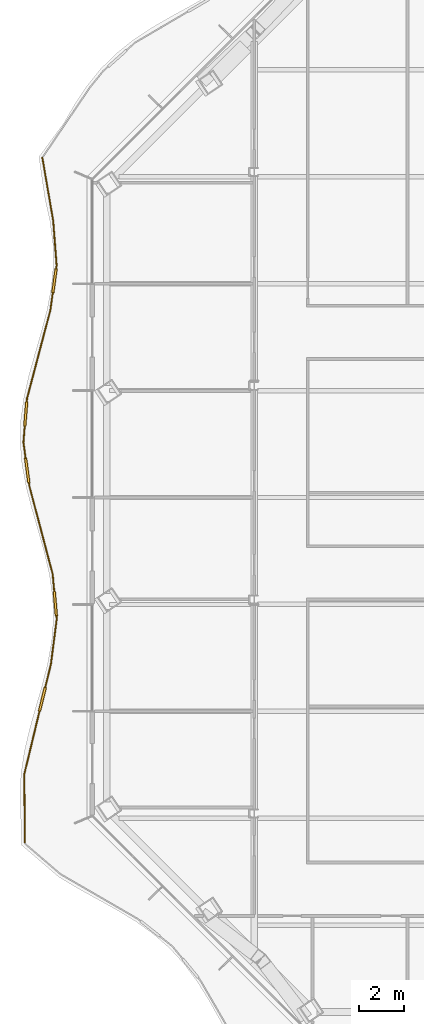
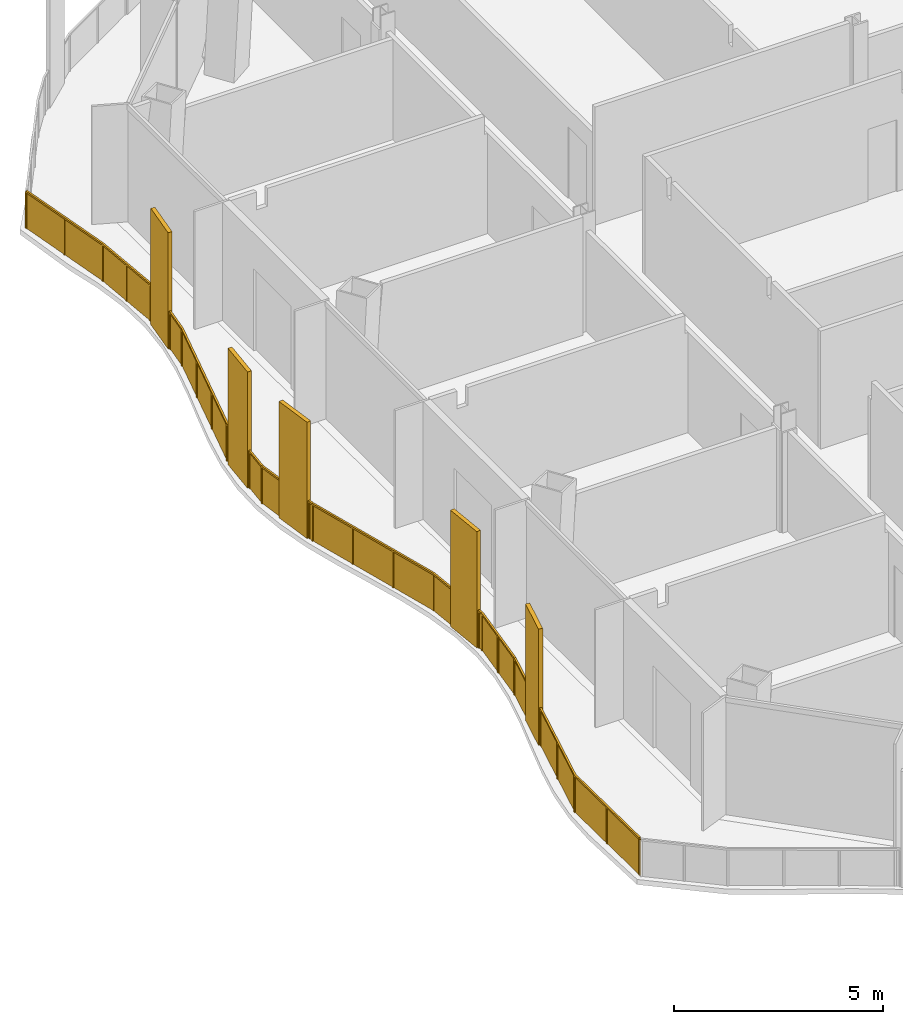
# One storey, part 16 of 22: 1 railing.
"""IFC4 building model written with IfcOpenShell, lengths in metres."""

from ifc_helpers import new_model, si_unit, direction, frame, origin, origin_2d, place, context, subcontext, project, spatial, polyline, rectangle, outline, extrude, material, type_object, element, save


model = new_model("IFC4")

# Units and contexts
model_context = context("Model", 3, precision=1e-05, world=origin(), true_north=direction((0.0, 1.0)))
body_context = subcontext(model_context, "Body", "Model", "MODEL_VIEW")
ifc_project = project(units=[si_unit("LENGTHUNIT", "METRE"), si_unit("AREAUNIT", "SQUARE_METRE"), si_unit("VOLUMEUNIT", "CUBIC_METRE"), si_unit("PLANEANGLEUNIT", "RADIAN"), si_unit("MASSUNIT", "GRAM", prefix="KILO")], contexts=[model_context])

# Site, building, storey
site_placement = place(None, origin())
site = spatial("IfcSite", under=ifc_project, at=site_placement, CompositionType="ELEMENT")
building_placement = place(site_placement, origin())
building = spatial("IfcBuilding", under=site, at=building_placement, Name="Cairn Pilgrim Tower", CompositionType="ELEMENT")
storey_placement = place(building_placement, frame((0.0, 0.0, 112.199951171875)))
storey = spatial("IfcBuildingStorey", under=building, at=storey_placement, Name="L27", CompositionType="ELEMENT", Elevation=112.199951171875)

# Railing
ifc_material = material(Name="Bronze anodised aluminium rail, posts and fin screens with laminated glass infill", Category="aluminium")
railing_type = type_object("IfcRailingType", Name="BALCONY GUARD WITH FIN SCREENS", PredefinedType="GUARDRAIL", material=ifc_material)
railing_placement = place(storey_placement, frame((-23.915771484375, 19.84423828125, 0.0)))
element("IfcRailing", 1, at=railing_placement, inside=storey, type_object=railing_type, Name="Balcony guard BGF-7 with fin screens", PredefinedType="GUARDRAIL", context=body_context, shape_type="SweptSolid", body=[
    extrude(rectangle(XDim=0.050048828125, YDim=0.050048828125, at=origin_2d()), frame((0.0, 0.0, 1.0751953125), z_axis=(0.16953336584, -0.985524448133, 0.0), x_axis=(0.985524448133, 0.16953336584, 0.0)), (0.0, 0.0, 1.0), 2.8671875),
    extrude(rectangle(XDim=0.050048828125, YDim=0.050048828125, at=origin_2d()), frame((0.486083984375, -2.82568359375, 1.0751953125), z_axis=(0.076807669278, -0.997045927698, 0.0), x_axis=(0.997045927698, 0.076807669278, 0.0)), (0.0, 0.0, 1.0), 2.01513671875),
    extrude(rectangle(XDim=1.10009765625, YDim=0.110107421875, at=origin_2d()), frame((0.5439453125, -5.528076171875, 0.0), z_axis=(0.0, 0.0, 1.0), x_axis=(-0.138492204352, -0.99036352383, 0.0)), (0.0, 0.0, 1.0), 3.39990234375),
    extrude(rectangle(XDim=0.050048828125, YDim=0.050048828125, at=origin_2d()), frame((0.640869140625, -4.8349609375, 1.0751953125), z_axis=(-0.138492204352, -0.99036352383, 0.0), x_axis=(0.99036352383, -0.138492204352, 0.0)), (0.0, 0.0, 1.0), 0.14990234375),
    extrude(rectangle(XDim=0.050048828125, YDim=0.050048828125, at=origin_2d()), frame((0.4677734375, -6.072998046875, 1.0751953125), z_axis=(-0.138492204352, -0.99036352383, 0.0), x_axis=(0.99036352383, -0.138492204352, 0.0)), (0.0, 0.0, 1.0), 0.78076171875),
    extrude(rectangle(XDim=0.050048828125, YDim=0.050048828125, at=origin_2d()), frame((0.359619140625, -6.84619140625, 1.0751953125), z_axis=(-0.255251582027, -0.966874671233, 0.0), x_axis=(0.966874671233, -0.255251582027, 0.0)), (0.0, 0.0, 1.0), 4.104248046875),
    extrude(rectangle(XDim=1.10009765625, YDim=0.110107421875, at=origin_2d()), frame((-0.745849609375, -11.511962890625, 0.0), z_axis=(0.0, 0.0, 1.0), x_axis=(-0.082685320584, -0.996575705985, 0.0)), (0.0, 0.0, 1.0), 3.39990234375),
    extrude(rectangle(XDim=0.050048828125, YDim=0.050048828125, at=origin_2d()), frame((-0.68798828125, -10.814453125, 1.0751953125), z_axis=(-0.082685320584, -0.996575705985, 0.0), x_axis=(0.996575705985, -0.082685320584, 0.0)), (0.0, 0.0, 1.0), 0.14990234375),
    extrude(rectangle(XDim=0.050048828125, YDim=0.050048828125, at=origin_2d()), frame((-0.791259765625, -12.06005859375, 1.0751953125), z_axis=(-0.082685320584, -0.996575705985, 0.0), x_axis=(0.996575705985, -0.082685320584, 0.0)), (0.0, 0.0, 1.0), 0.713623046875),
    extrude(rectangle(XDim=1.10009765625, YDim=0.110107421875, at=origin_2d()), frame((-0.68017578125, -14.038330078125, 0.0), z_axis=(0.0, 0.0, 1.0), x_axis=(0.133141643969, -0.991097019792, 0.0)), (0.0, 0.0, 1.0), 3.39990234375),
    extrude(rectangle(XDim=0.050048828125, YDim=0.050048828125, at=origin_2d()), frame((-0.850341796875, -12.771240234375, 1.0751953125), z_axis=(0.133141643969, -0.991097019792, 0.0), x_axis=(0.991097019792, 0.133141643969, 0.0)), (0.0, 0.0, 1.0), 0.728271484375),
    extrude(rectangle(XDim=0.050048828125, YDim=0.050048828125, at=origin_2d()), frame((-0.60693359375, -14.583251953125, 1.0751953125), z_axis=(0.133141643969, -0.991097019792, 0.0), x_axis=(0.991097019792, 0.133141643969, 0.0)), (0.0, 0.0, 1.0), 0.150146484375),
    extrude(rectangle(XDim=0.050048828125, YDim=0.050048828125, at=origin_2d()), frame((-0.5869140625, -14.732177734375, 1.0751953125), z_axis=(0.255755489209, -0.966741500992, 0.0), x_axis=(0.966741500992, 0.255755489209, 0.0)), (0.0, 0.0, 1.0), 4.1123046875),
    extrude(rectangle(XDim=1.10009765625, YDim=0.110107421875, at=origin_2d()), frame((0.58203125, -20.025634765625, 0.0), z_axis=(0.0, 0.0, 1.0), x_axis=(0.088577039911, -0.996069328913, 0.0)), (0.0, 0.0, 1.0), 3.39990234375),
    extrude(rectangle(XDim=0.050048828125, YDim=0.050048828125, at=origin_2d()), frame((0.46484375, -18.707763671875, 1.0751953125), z_axis=(0.088577039911, -0.996069328913, 0.0), x_axis=(0.996069328913, 0.088577039911, 0.0)), (0.0, 0.0, 1.0), 0.77294921875),
    extrude(rectangle(XDim=0.050048828125, YDim=0.050048828125, at=origin_2d()), frame((0.630859375, -20.573486328125, 1.0751953125), z_axis=(0.088577039911, -0.996069328913, 0.0), x_axis=(0.996069328913, 0.088577039911, 0.0)), (0.0, 0.0, 1.0), 0.150146484375),
    extrude(rectangle(XDim=0.050048828125, YDim=0.050048828125, at=origin_2d()), frame((0.64404296875, -20.722900390625, 1.0751953125), z_axis=(-0.127784084157, -0.991802010401, 0.0), x_axis=(0.991802010401, -0.127784084157, 0.0)), (0.0, 0.0, 1.0), 2.027099609375),
    extrude(rectangle(XDim=1.10009765625, YDim=0.110107421875, at=origin_2d()), frame((0.002685546875, -24.31591796875, 0.0), z_axis=(0.0, 0.0, 1.0), x_axis=(-0.23488862622, -0.972022290522, 0.0)), (0.0, 0.0, 1.0), 3.39990234375),
    extrude(rectangle(XDim=0.050048828125, YDim=0.050048828125, at=origin_2d()), frame((0.385009765625, -22.7333984375, 1.0751953125), z_axis=(-0.23488862622, -0.972022290522, 0.0), x_axis=(0.972022290522, -0.23488862622, 0.0)), (0.0, 0.0, 1.0), 1.078125),
    extrude(rectangle(XDim=0.050048828125, YDim=0.050048828125, at=origin_2d()), frame((-0.126708984375, -24.8505859375, 1.0751953125), z_axis=(-0.23488862622, -0.972022290522, 0.0), x_axis=(0.972022290522, -0.23488862622, 0.0)), (0.0, 0.0, 1.0), 2.920166015625),
    extrude(rectangle(XDim=0.050048828125, YDim=0.050048828125, at=origin_2d()), frame((-0.8125, -27.68896484375, 1.0751953125), z_axis=(0.009518807193, -0.999954695129, 0.0), x_axis=(0.999954695129, 0.009518807193, 0.0)), (0.0, 0.0, 1.0), 3.05224609375),
    extrude(rectangle(XDim=0.050048828125, YDim=0.050048828125, at=origin_2d()), origin(), (0.0, 0.0, 1.0), 1.050048828125),
    extrude(rectangle(XDim=0.050048828125, YDim=0.050048828125, at=origin_2d()), frame((0.2431640625, -1.412841796875, 0.0)), (0.0, 0.0, 1.0), 1.050048828125),
    extrude(rectangle(XDim=0.050048828125, YDim=0.050048828125, at=origin_2d()), frame((0.486083984375, -2.82568359375, 0.0)), (0.0, 0.0, 1.0), 1.050048828125),
    extrude(rectangle(XDim=0.050048828125, YDim=0.050048828125, at=origin_2d()), frame((0.5634765625, -3.830322265625, 0.0)), (0.0, 0.0, 1.0), 1.050048828125),
    extrude(rectangle(XDim=0.050048828125, YDim=0.050048828125, at=origin_2d()), frame((0.640869140625, -4.8349609375, 0.0)), (0.0, 0.0, 1.0), 1.050048828125),
    extrude(rectangle(XDim=0.050048828125, YDim=0.050048828125, at=origin_2d()), frame((0.62353515625, -4.958740234375, 0.0)), (0.0, 0.0, 1.0), 1.050048828125),
    extrude(rectangle(XDim=0.050048828125, YDim=0.050048828125, at=origin_2d()), frame((0.46435546875, -6.09765625, 0.0)), (0.0, 0.0, 1.0), 1.050048828125),
    extrude(rectangle(XDim=0.050048828125, YDim=0.050048828125, at=origin_2d()), frame((0.359619140625, -6.84619140625, 0.0)), (0.0, 0.0, 1.0), 1.050048828125),
    extrude(rectangle(XDim=0.050048828125, YDim=0.050048828125, at=origin_2d()), frame((0.010498046875, -8.1689453125, 0.0)), (0.0, 0.0, 1.0), 1.050048828125),
    extrude(rectangle(XDim=0.050048828125, YDim=0.050048828125, at=origin_2d()), frame((-0.3388671875, -9.49169921875, 0.0)), (0.0, 0.0, 1.0), 1.050048828125),
    extrude(rectangle(XDim=0.050048828125, YDim=0.050048828125, at=origin_2d()), frame((-0.68798828125, -10.814453125, 0.0)), (0.0, 0.0, 1.0), 1.050048828125),
    extrude(rectangle(XDim=0.050048828125, YDim=0.050048828125, at=origin_2d()), frame((-0.6982421875, -10.93896484375, 0.0)), (0.0, 0.0, 1.0), 1.050048828125),
    extrude(rectangle(XDim=0.050048828125, YDim=0.050048828125, at=origin_2d()), frame((-0.79345703125, -12.0849609375, 0.0)), (0.0, 0.0, 1.0), 1.050048828125),
    extrude(rectangle(XDim=0.050048828125, YDim=0.050048828125, at=origin_2d()), frame((-0.850341796875, -12.771240234375, 0.0)), (0.0, 0.0, 1.0), 1.050048828125),
    extrude(rectangle(XDim=0.050048828125, YDim=0.050048828125, at=origin_2d()), frame((-0.756591796875, -13.46826171875, 0.0)), (0.0, 0.0, 1.0), 1.050048828125),
    extrude(rectangle(XDim=0.050048828125, YDim=0.050048828125, at=origin_2d()), frame((-0.603515625, -14.608154296875, 0.0)), (0.0, 0.0, 1.0), 1.050048828125),
    extrude(rectangle(XDim=0.050048828125, YDim=0.050048828125, at=origin_2d()), frame((-0.5869140625, -14.732177734375, 0.0)), (0.0, 0.0, 1.0), 1.050048828125),
    extrude(rectangle(XDim=0.050048828125, YDim=0.050048828125, at=origin_2d()), frame((-0.236328125, -16.057373046875, 0.0)), (0.0, 0.0, 1.0), 1.050048828125),
    extrude(rectangle(XDim=0.050048828125, YDim=0.050048828125, at=origin_2d()), frame((0.1142578125, -17.382568359375, 0.0)), (0.0, 0.0, 1.0), 1.050048828125),
    extrude(rectangle(XDim=0.050048828125, YDim=0.050048828125, at=origin_2d()), frame((0.46484375, -18.707763671875, 0.0)), (0.0, 0.0, 1.0), 1.050048828125),
    extrude(rectangle(XDim=0.050048828125, YDim=0.050048828125, at=origin_2d()), frame((0.531005859375, -19.452880859375, 0.0)), (0.0, 0.0, 1.0), 1.050048828125),
    extrude(rectangle(XDim=0.050048828125, YDim=0.050048828125, at=origin_2d()), frame((0.633056640625, -20.598388671875, 0.0)), (0.0, 0.0, 1.0), 1.050048828125),
    extrude(rectangle(XDim=0.050048828125, YDim=0.050048828125, at=origin_2d()), frame((0.64404296875, -20.722900390625, 0.0)), (0.0, 0.0, 1.0), 1.050048828125),
    extrude(rectangle(XDim=0.050048828125, YDim=0.050048828125, at=origin_2d()), frame((0.5146484375, -21.72802734375, 0.0)), (0.0, 0.0, 1.0), 1.050048828125),
    extrude(rectangle(XDim=0.050048828125, YDim=0.050048828125, at=origin_2d()), frame((0.385009765625, -22.7333984375, 0.0)), (0.0, 0.0, 1.0), 1.050048828125),
    extrude(rectangle(XDim=0.050048828125, YDim=0.050048828125, at=origin_2d()), frame((0.1376953125, -23.7568359375, 0.0)), (0.0, 0.0, 1.0), 1.050048828125),
    extrude(rectangle(XDim=0.050048828125, YDim=0.050048828125, at=origin_2d()), frame((-0.132568359375, -24.874755859375, 0.0)), (0.0, 0.0, 1.0), 1.050048828125),
    extrude(rectangle(XDim=0.050048828125, YDim=0.050048828125, at=origin_2d()), frame((-0.472412109375, -26.281982421875, 0.0)), (0.0, 0.0, 1.0), 1.050048828125),
    extrude(rectangle(XDim=0.050048828125, YDim=0.050048828125, at=origin_2d()), frame((-0.8125, -27.68896484375, 0.0)), (0.0, 0.0, 1.0), 1.050048828125),
    extrude(rectangle(XDim=0.050048828125, YDim=0.050048828125, at=origin_2d()), frame((-0.7978515625, -29.21484375, 0.0)), (0.0, 0.0, 1.0), 1.050048828125),
    extrude(rectangle(XDim=0.050048828125, YDim=0.050048828125, at=origin_2d()), frame((-0.783447265625, -30.740966796875, 0.0)), (0.0, 0.0, 1.0), 1.050048828125),
    extrude(outline(polyline([(0.02490234375, 0.0), (1.40869140625, 0.0), (1.40869140625, 1.050048828125), (0.02490234375, 1.050048828125), (0.02490234375, 0.0)])), frame((0.005859375, 0.0009765625, 0.0), z_axis=(-0.985524448133, -0.16953336584, 0.0), x_axis=(0.16953336584, -0.985524448133, 0.0)), (0.0, 0.0, 1.0), 0.011962890625),
    extrude(outline(polyline([(0.02490234375, 0.0), (1.40869140625, 0.0), (1.40869140625, 1.050048828125), (0.02490234375, 1.050048828125), (0.02490234375, 0.0)])), frame((0.2490234375, -1.411865234375, 0.0), z_axis=(-0.985524448133, -0.16953336584, 0.0), x_axis=(0.16953336584, -0.985524448133, 0.0)), (0.0, 0.0, 1.0), 0.011962890625),
    extrude(outline(polyline([(0.02490234375, 0.0), (0.982666015625, 0.0), (0.982666015625, 1.050048828125), (0.02490234375, 1.050048828125), (0.02490234375, 0.0)])), frame((0.491943359375, -2.8251953125, 0.0), z_axis=(-0.997045927698, -0.076807669278, 0.0), x_axis=(0.076807669278, -0.997045927698, 0.0)), (0.0, 0.0, 1.0), 0.011962890625),
    extrude(outline(polyline([(0.02490234375, 0.0), (0.982666015625, 0.0), (0.982666015625, 1.050048828125), (0.02490234375, 1.050048828125), (0.02490234375, 0.0)])), frame((0.5693359375, -3.829833984375, 0.0), z_axis=(-0.997045927698, -0.076807669278, 0.0), x_axis=(0.076807669278, -0.997045927698, 0.0)), (0.0, 0.0, 1.0), 0.011962890625),
    extrude(outline(polyline([(0.02490234375, 0.0), (0.099853515625, 0.0), (0.099853515625, 1.050048828125), (0.02490234375, 1.050048828125), (0.02490234375, 0.0)])), frame((0.646728515625, -4.835693359375, 0.0), z_axis=(-0.99036352383, 0.138492204352, 0.0), x_axis=(-0.138492204352, -0.99036352383, 0.0)), (0.0, 0.0, 1.0), 0.011962890625),
    extrude(outline(polyline([(0.02490234375, 0.0), (0.730712890625, 0.0), (0.730712890625, 1.050048828125), (0.02490234375, 1.050048828125), (0.02490234375, 0.0)])), frame((0.47021484375, -6.098388671875, 0.0), z_axis=(-0.99036352383, 0.138492204352, 0.0), x_axis=(-0.138492204352, -0.99036352383, 0.0)), (0.0, 0.0, 1.0), 0.011962890625),
    extrude(outline(polyline([(0.02490234375, 0.0), (1.343017578125, 0.0), (1.343017578125, 1.050048828125), (0.02490234375, 1.050048828125), (0.02490234375, 0.0)])), frame((0.365478515625, -6.84765625, 0.0), z_axis=(-0.966874671233, 0.255251582027, 0.0), x_axis=(-0.255251582027, -0.966874671233, 0.0)), (0.0, 0.0, 1.0), 0.011962890625),
    extrude(outline(polyline([(0.02490234375, 0.0), (1.343017578125, 0.0), (1.343017578125, 1.050048828125), (0.02490234375, 1.050048828125), (0.02490234375, 0.0)])), frame((0.01611328125, -8.17041015625, 0.0), z_axis=(-0.966874671233, 0.255251582027, 0.0), x_axis=(-0.255251582027, -0.966874671233, 0.0)), (0.0, 0.0, 1.0), 0.011962890625),
    extrude(outline(polyline([(0.02490234375, 0.0), (1.343017578125, 0.0), (1.343017578125, 1.050048828125), (0.02490234375, 1.050048828125), (0.02490234375, 0.0)])), frame((-0.3330078125, -9.4931640625, 0.0), z_axis=(-0.966874671233, 0.255251582027, 0.0), x_axis=(-0.255251582027, -0.966874671233, 0.0)), (0.0, 0.0, 1.0), 0.011962890625),
    extrude(outline(polyline([(0.02490234375, 0.0), (0.099853515625, 0.0), (0.099853515625, 1.050048828125), (0.02490234375, 1.050048828125), (0.02490234375, 0.0)])), frame((-0.68212890625, -10.81494140625, 0.0), z_axis=(-0.996575705985, 0.082685320584, 0.0), x_axis=(-0.082685320584, -0.996575705985, 0.0)), (0.0, 0.0, 1.0), 0.011962890625),
    extrude(outline(polyline([(0.02490234375, 0.0), (0.66357421875, 0.0), (0.66357421875, 1.050048828125), (0.02490234375, 1.050048828125), (0.02490234375, 0.0)])), frame((-0.787353515625, -12.085693359375, 0.0), z_axis=(-0.996575705985, 0.082685320584, 0.0), x_axis=(-0.082685320584, -0.996575705985, 0.0)), (0.0, 0.0, 1.0), 0.011962890625),
    extrude(outline(polyline([(0.02490234375, 0.0), (0.67822265625, 0.0), (0.67822265625, 1.050048828125), (0.02490234375, 1.050048828125), (0.02490234375, 0.0)])), frame((-0.844482421875, -12.7705078125, 0.0), z_axis=(-0.991097019792, -0.133141643969, 0.0), x_axis=(0.133141643969, -0.991097019792, 0.0)), (0.0, 0.0, 1.0), 0.011962890625),
    extrude(outline(polyline([(0.02490234375, 0.0), (0.10009765625, 0.0), (0.10009765625, 1.050048828125), (0.02490234375, 1.050048828125), (0.02490234375, 0.0)])), frame((-0.59765625, -14.607421875, 0.0), z_axis=(-0.991097019792, -0.133141643969, 0.0), x_axis=(0.133141643969, -0.991097019792, 0.0)), (0.0, 0.0, 1.0), 0.011962890625),
    extrude(outline(polyline([(0.02490234375, 0.0), (1.345703125, 0.0), (1.345703125, 1.050048828125), (0.02490234375, 1.050048828125), (0.02490234375, 0.0)])), frame((-0.5810546875, -14.730712890625, 0.0), z_axis=(-0.966741500992, -0.255755489209, 0.0), x_axis=(0.255755489209, -0.966741500992, 0.0)), (0.0, 0.0, 1.0), 0.011962890625),
    extrude(outline(polyline([(0.02490234375, 0.0), (1.345703125, 0.0), (1.345703125, 1.050048828125), (0.02490234375, 1.050048828125), (0.02490234375, 0.0)])), frame((-0.23046875, -16.055908203125, 0.0), z_axis=(-0.966741500992, -0.255755489209, 0.0), x_axis=(0.255755489209, -0.966741500992, 0.0)), (0.0, 0.0, 1.0), 0.011962890625),
    extrude(outline(polyline([(0.02490234375, 0.0), (1.345703125, 0.0), (1.345703125, 1.050048828125), (0.02490234375, 1.050048828125), (0.02490234375, 0.0)])), frame((0.1201171875, -17.381103515625, 0.0), z_axis=(-0.966741500992, -0.255755489209, 0.0), x_axis=(0.255755489209, -0.966741500992, 0.0)), (0.0, 0.0, 1.0), 0.011962890625),
    extrude(outline(polyline([(0.02490234375, 0.0), (0.722900390625, 0.0), (0.722900390625, 1.050048828125), (0.02490234375, 1.050048828125), (0.02490234375, 0.0)])), frame((0.470703125, -18.707275390625, 0.0), z_axis=(-0.996069328913, -0.088577039911, 0.0), x_axis=(0.088577039911, -0.996069328913, 0.0)), (0.0, 0.0, 1.0), 0.011962890625),
    extrude(outline(polyline([(0.02490234375, 0.0), (0.10009765625, 0.0), (0.10009765625, 1.050048828125), (0.02490234375, 1.050048828125), (0.02490234375, 0.0)])), frame((0.638916015625, -20.597900390625, 0.0), z_axis=(-0.996069328913, -0.088577039911, 0.0), x_axis=(0.088577039911, -0.996069328913, 0.0)), (0.0, 0.0, 1.0), 0.011962890625),
    extrude(outline(polyline([(0.02490234375, 0.0), (0.988525390625, 0.0), (0.988525390625, 1.050048828125), (0.02490234375, 1.050048828125), (0.02490234375, 0.0)])), frame((0.64990234375, -20.7236328125, 0.0), z_axis=(-0.991802010401, 0.127784084157, 0.0), x_axis=(-0.127784084157, -0.991802010401, 0.0)), (0.0, 0.0, 1.0), 0.011962890625),
    extrude(outline(polyline([(0.02490234375, 0.0), (0.988525390625, 0.0), (0.988525390625, 1.050048828125), (0.02490234375, 1.050048828125), (0.02490234375, 0.0)])), frame((0.5205078125, -21.72900390625, 0.0), z_axis=(-0.991802010401, 0.127784084157, 0.0), x_axis=(-0.127784084157, -0.991802010401, 0.0)), (0.0, 0.0, 1.0), 0.011962890625),
    extrude(outline(polyline([(0.02490234375, 0.0), (1.028076171875, 0.0), (1.028076171875, 1.050048828125), (0.02490234375, 1.050048828125), (0.02490234375, 0.0)])), frame((0.390869140625, -22.73486328125, 0.0), z_axis=(-0.972022290522, 0.23488862622, 0.0), x_axis=(-0.23488862622, -0.972022290522, 0.0)), (0.0, 0.0, 1.0), 0.011962890625),
    extrude(outline(polyline([(0.02490234375, 0.0), (1.422607421875, 0.0), (1.422607421875, 1.050048828125), (0.02490234375, 1.050048828125), (0.02490234375, 0.0)])), frame((-0.126708984375, -24.876220703125, 0.0), z_axis=(-0.972022290522, 0.23488862622, 0.0), x_axis=(-0.23488862622, -0.972022290522, 0.0)), (0.0, 0.0, 1.0), 0.011962890625),
    extrude(outline(polyline([(0.02490234375, 0.0), (1.422607421875, 0.0), (1.422607421875, 1.050048828125), (0.02490234375, 1.050048828125), (0.02490234375, 0.0)])), frame((-0.466552734375, -26.283203125, 0.0), z_axis=(-0.972022290522, 0.23488862622, 0.0), x_axis=(-0.23488862622, -0.972022290522, 0.0)), (0.0, 0.0, 1.0), 0.011962890625),
    extrude(outline(polyline([(0.02490234375, 0.0), (1.5009765625, 0.0), (1.5009765625, 1.050048828125), (0.02490234375, 1.050048828125), (0.02490234375, 0.0)])), frame((-0.806640625, -27.68896484375, 0.0), z_axis=(-0.999954695129, -0.009518807193, 0.0), x_axis=(0.009518807193, -0.999954695129, 0.0)), (0.0, 0.0, 1.0), 0.011962890625),
    extrude(outline(polyline([(0.02490234375, 0.0), (1.5009765625, 0.0), (1.5009765625, 1.050048828125), (0.02490234375, 1.050048828125), (0.02490234375, 0.0)])), frame((-0.7919921875, -29.21484375, 0.0), z_axis=(-0.999954695129, -0.009518807193, 0.0), x_axis=(0.009518807193, -0.999954695129, 0.0)), (0.0, 0.0, 1.0), 0.011962890625),
])

save(model, "model.ifc")
